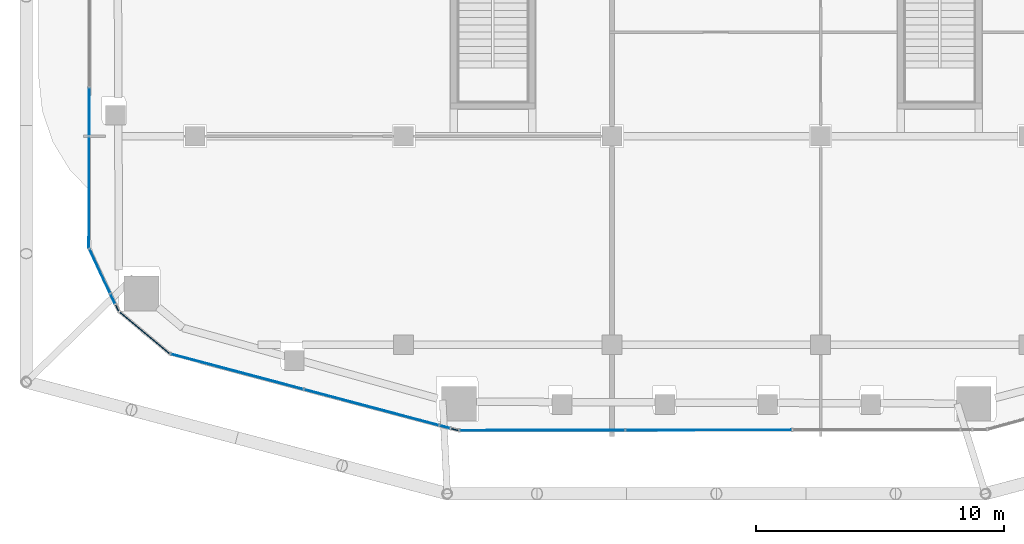
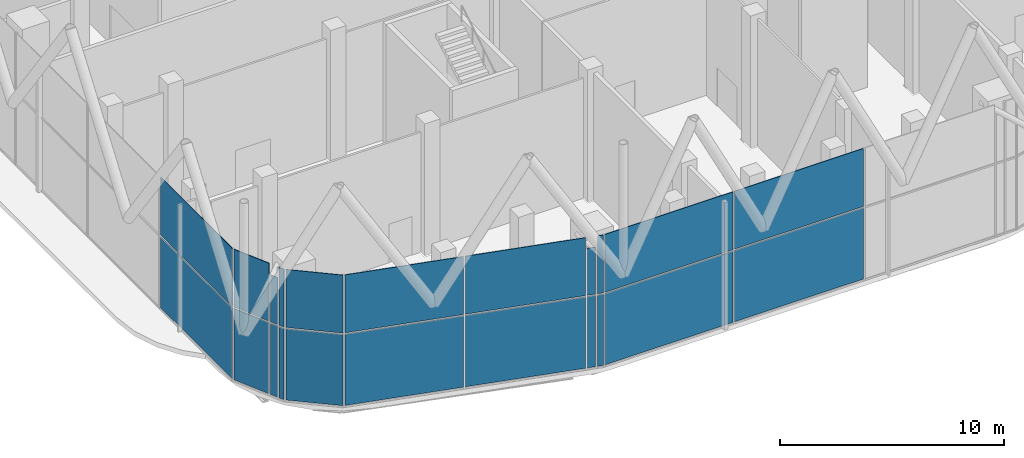
# One storey, part 13 of 25: 22 plates, 9 elements without a shape of their own.
"""IFC4 building model written with IfcOpenShell, lengths in metres."""

from ifc_helpers import new_model, si_unit, direction, frame, origin, origin_2d, place, context, subcontext, project, spatial, rectangle, extrude, material, layer, layer_set, type_object, element, aggregate, save


model = new_model("IFC4")

# Units and contexts
model_context = context("Model", 3, precision=1e-05, world=origin(), true_north=direction((0.0, 1.0)))
body_context = subcontext(model_context, "Body", "Model", "MODEL_VIEW")
ifc_project = project(units=[si_unit("LENGTHUNIT", "METRE"), si_unit("AREAUNIT", "SQUARE_METRE"), si_unit("VOLUMEUNIT", "CUBIC_METRE"), si_unit("PLANEANGLEUNIT", "RADIAN"), si_unit("MASSUNIT", "GRAM", prefix="KILO")], contexts=[model_context])

# Site, building, storey
site_placement = place(None, origin())
site = spatial("IfcSite", under=ifc_project, at=site_placement, CompositionType="ELEMENT")
building_placement = place(site_placement, origin())
building = spatial("IfcBuilding", under=site, at=building_placement, Name="Marenta Gate Hotel Tower", CompositionType="ELEMENT")
storey_placement = place(building_placement, frame((0.0, 0.0, 180.5)))
storey = spatial("IfcBuildingStorey", under=building, at=storey_placement, Name="L41", CompositionType="ELEMENT", Elevation=180.5)

# Curtain wall, plates
ifc_material_1 = material(Name="Tinted insulated glass in bronze anodised frame", Category="glass")
ifc_layer_1 = layer(ifc_material_1, 0.1298828125)
ifc_layer_set_1 = layer_set([ifc_layer_1], Name="Tinted insulated glass in bronze anodised frame")
curtain_wall_type = type_object("IfcCurtainWallType", Name="Sky lobby glazing CW2", PredefinedType="NOTDEFINED", material=ifc_layer_set_1)
curtain_wall_1_placement = place(storey_placement, origin())
curtain_wall_1 = element("IfcCurtainWall", 1, at=curtain_wall_1_placement, inside=storey, type_object=curtain_wall_type, Name="CW2 run G04", PredefinedType="NOTDEFINED")
ifc_material_2 = material(Name="Tinted insulated glass", Category="glass")
ifc_layer_2 = layer(ifc_material_2, 0.033935546875)
ifc_layer_set_2 = layer_set([ifc_layer_2], Name="Tinted insulated glass")
plate_type = type_object("IfcPlateType", Name="Glass panel CW2 34 mm tinted insulated unit", PredefinedType="CURTAIN_PANEL", material=ifc_layer_set_2)
plate_1_placement = place(storey_placement, frame((-25.27294921875, -18.084716796875, 0.080078125), z_axis=(0.0, 0.0, 1.0), x_axis=(-0.001565960706, -0.999998773883, 0.0)))
plate_1 = element("IfcPlate", 2, at=plate_1_placement, type_object=plate_type, Name="CW2 panel 6.1", PredefinedType="CURTAIN_PANEL", context=body_context, shape_type="SweptSolid", body=[
    extrude(rectangle(XDim=6.42041015625, YDim=0.033935546875, at=origin_2d()), origin(), (0.0, 0.0, 1.0), 3.8798828125),
])
plate_2_placement = place(storey_placement, frame((-25.27294921875, -18.084716796875, 4.0400390625), z_axis=(0.0, 0.0, 1.0), x_axis=(-0.001565960706, -0.999998773883, 0.0)))
plate_2 = element("IfcPlate", 3, at=plate_2_placement, type_object=plate_type, Name="CW2 panel 6.2", PredefinedType="CURTAIN_PANEL", context=body_context, shape_type="SweptSolid", body=[
    extrude(rectangle(XDim=6.42041015625, YDim=0.033935546875, at=origin_2d()), origin(), (0.0, 0.0, 1.0), 3.159912109375),
])
aggregate(curtain_wall_1, [plate_1, plate_2])

curtain_wall_2_placement = place(storey_placement, origin())
curtain_wall_2 = element("IfcCurtainWall", 4, at=curtain_wall_2_placement, inside=storey, type_object=curtain_wall_type, Name="CW2 run G05", PredefinedType="NOTDEFINED")
plate_3_placement = place(storey_placement, frame((-24.839599609375, -22.23291015625, 0.080078125), z_axis=(0.0, 0.0, 1.0), x_axis=(0.423325424961, -0.905977695411, 0.0)))
plate_3 = element("IfcPlate", 5, at=plate_3_placement, type_object=plate_type, Name="CW2 panel 1.1", PredefinedType="CURTAIN_PANEL", context=body_context, shape_type="SweptSolid", body=[
    extrude(rectangle(XDim=1.91064453125, YDim=0.033935546875, at=origin_2d()), origin(), (0.0, 0.0, 1.0), 3.8798828125),
])
plate_4_placement = place(storey_placement, frame((-24.839599609375, -22.23291015625, 4.0400390625), z_axis=(0.0, 0.0, 1.0), x_axis=(0.423325424961, -0.905977695411, 0.0)))
plate_4 = element("IfcPlate", 6, at=plate_4_placement, type_object=plate_type, Name="CW2 panel 1.2", PredefinedType="CURTAIN_PANEL", context=body_context, shape_type="SweptSolid", body=[
    extrude(rectangle(XDim=1.91064453125, YDim=0.033935546875, at=origin_2d()), origin(), (0.0, 0.0, 1.0), 3.159912109375),
])
aggregate(curtain_wall_2, [plate_3, plate_4])

curtain_wall_3_placement = place(storey_placement, origin())
curtain_wall_3 = element("IfcCurtainWall", 7, at=curtain_wall_3_placement, inside=storey, type_object=curtain_wall_type, Name="CW2 run G06", PredefinedType="NOTDEFINED")
plate_5_placement = place(storey_placement, frame((-24.31689453125, -23.35205078125, 0.080078125), z_axis=(0.0, 0.0, 1.0), x_axis=(0.423387289241, -0.905948786251, 0.0)))
plate_5 = element("IfcPlate", 8, at=plate_5_placement, type_object=plate_type, Name="CW2 panel 1.1", PredefinedType="CURTAIN_PANEL", context=body_context, shape_type="SweptSolid", body=[
    extrude(rectangle(XDim=0.39990234375, YDim=0.033935546875, at=origin_2d()), origin(), (0.0, 0.0, 1.0), 3.8798828125),
])
plate_6_placement = place(storey_placement, frame((-24.31689453125, -23.35205078125, 4.0400390625), z_axis=(0.0, 0.0, 1.0), x_axis=(0.423387289241, -0.905948786251, 0.0)))
plate_6 = element("IfcPlate", 9, at=plate_6_placement, type_object=plate_type, Name="CW2 panel 1.2", PredefinedType="CURTAIN_PANEL", context=body_context, shape_type="SweptSolid", body=[
    extrude(rectangle(XDim=0.39990234375, YDim=0.033935546875, at=origin_2d()), origin(), (0.0, 0.0, 1.0), 2.560546875),
])
aggregate(curtain_wall_3, [plate_5, plate_6])

curtain_wall_4_placement = place(storey_placement, origin())
curtain_wall_4 = element("IfcCurtainWall", 10, at=curtain_wall_4_placement, inside=storey, type_object=curtain_wall_type, Name="CW2 run G07", PredefinedType="NOTDEFINED")
plate_7_placement = place(storey_placement, frame((-24.142578125, -23.724609375, 0.080078125), z_axis=(0.0, 0.0, 1.0), x_axis=(0.423492111058, -0.905899791297, 0.0)))
plate_7 = element("IfcPlate", 11, at=plate_7_placement, type_object=plate_type, Name="CW2 panel 1.1", PredefinedType="CURTAIN_PANEL", context=body_context, shape_type="SweptSolid", body=[
    extrude(rectangle(XDim=0.262939453125, YDim=0.033935546875, at=origin_2d()), origin(), (0.0, 0.0, 1.0), 3.8798828125),
])
plate_8_placement = place(storey_placement, frame((-24.142578125, -23.724609375, 4.0400390625), z_axis=(0.0, 0.0, 1.0), x_axis=(0.423492111058, -0.905899791297, 0.0)))
plate_8 = element("IfcPlate", 12, at=plate_8_placement, type_object=plate_type, Name="CW2 panel 1.2", PredefinedType="CURTAIN_PANEL", context=body_context, shape_type="SweptSolid", body=[
    extrude(rectangle(XDim=0.262939453125, YDim=0.033935546875, at=origin_2d()), origin(), (0.0, 0.0, 1.0), 3.159912109375),
])
aggregate(curtain_wall_4, [plate_7, plate_8])

curtain_wall_5_placement = place(storey_placement, origin())
curtain_wall_5 = element("IfcCurtainWall", 13, at=curtain_wall_5_placement, inside=storey, type_object=curtain_wall_type, Name="CW2 run G08", PredefinedType="NOTDEFINED")
plate_9_placement = place(storey_placement, frame((-23.031494140625, -24.726318359375, 0.080078125), z_axis=(0.0, 0.0, 1.0), x_axis=(0.767090937628, -0.641538380308, 0.0)))
plate_9 = element("IfcPlate", 14, at=plate_9_placement, type_object=plate_type, Name="CW2 panel 1.1", PredefinedType="CURTAIN_PANEL", context=body_context, shape_type="SweptSolid", body=[
    extrude(rectangle(XDim=2.59130859375, YDim=0.033935546875, at=origin_2d()), origin(), (0.0, 0.0, 1.0), 3.8798828125),
])
plate_10_placement = place(storey_placement, frame((-23.031494140625, -24.726318359375, 4.0400390625), z_axis=(0.0, 0.0, 1.0), x_axis=(0.767090937628, -0.641538380308, 0.0)))
plate_10 = element("IfcPlate", 15, at=plate_10_placement, type_object=plate_type, Name="CW2 panel 1.2", PredefinedType="CURTAIN_PANEL", context=body_context, shape_type="SweptSolid", body=[
    extrude(rectangle(XDim=2.59130859375, YDim=0.033935546875, at=origin_2d()), origin(), (0.0, 0.0, 1.0), 3.159912109375),
])
aggregate(curtain_wall_5, [plate_9, plate_10])

curtain_wall_6_placement = place(storey_placement, origin())
curtain_wall_6 = element("IfcCurtainWall", 16, at=curtain_wall_6_placement, inside=storey, type_object=curtain_wall_type, Name="CW2 run G09", PredefinedType="NOTDEFINED")
plate_11_placement = place(storey_placement, frame((-19.309814453125, -26.283447265625, 0.080078125), z_axis=(0.0, 0.0, 1.0), x_axis=(0.966374552546, -0.257138531131, 0.0)))
plate_11 = element("IfcPlate", 17, at=plate_11_placement, type_object=plate_type, Name="CW2 panel 1.1", PredefinedType="CURTAIN_PANEL", context=body_context, shape_type="SweptSolid", body=[
    extrude(rectangle(XDim=5.485595703125, YDim=0.033935546875, at=origin_2d()), origin(), (0.0, 0.0, 1.0), 3.8798828125),
])
plate_12_placement = place(storey_placement, frame((-19.309814453125, -26.283447265625, 4.0400390625), z_axis=(0.0, 0.0, 1.0), x_axis=(0.966374552546, -0.257138531131, 0.0)))
plate_12 = element("IfcPlate", 18, at=plate_12_placement, type_object=plate_type, Name="CW2 panel 1.2", PredefinedType="CURTAIN_PANEL", context=body_context, shape_type="SweptSolid", body=[
    extrude(rectangle(XDim=5.485595703125, YDim=0.033935546875, at=origin_2d()), origin(), (0.0, 0.0, 1.0), 3.159912109375),
])
plate_13_placement = place(storey_placement, frame((-13.892822265625, -27.724853515625, 0.080078125), z_axis=(0.0, 0.0, 1.0), x_axis=(0.966374552546, -0.257138531131, 0.0)))
plate_13 = element("IfcPlate", 19, at=plate_13_placement, type_object=plate_type, Name="CW2 panel 2.1", PredefinedType="CURTAIN_PANEL", context=body_context, shape_type="SweptSolid", body=[
    extrude(rectangle(XDim=5.5654296875, YDim=0.033935546875, at=origin_2d()), origin(), (0.0, 0.0, 1.0), 3.8798828125),
])
plate_14_placement = place(storey_placement, frame((-13.892822265625, -27.724853515625, 4.0400390625), z_axis=(0.0, 0.0, 1.0), x_axis=(0.966374552546, -0.257138531131, 0.0)))
plate_14 = element("IfcPlate", 20, at=plate_14_placement, type_object=plate_type, Name="CW2 panel 2.2", PredefinedType="CURTAIN_PANEL", context=body_context, shape_type="SweptSolid", body=[
    extrude(rectangle(XDim=5.5654296875, YDim=0.033935546875, at=origin_2d()), origin(), (0.0, 0.0, 1.0), 3.159912109375),
])
aggregate(curtain_wall_6, [plate_11, plate_12, plate_13, plate_14])

curtain_wall_7_placement = place(storey_placement, origin())
curtain_wall_7 = element("IfcCurtainWall", 21, at=curtain_wall_7_placement, inside=storey, type_object=curtain_wall_type, Name="CW2 run G10", PredefinedType="NOTDEFINED")
plate_15_placement = place(storey_placement, frame((-10.93505859375, -28.51171875, 0.080078125), z_axis=(0.0, 0.0, 1.0), x_axis=(0.966370908953, -0.257152224039, 0.0)))
plate_15 = element("IfcPlate", 22, at=plate_15_placement, type_object=plate_type, Name="CW2 panel 1.1", PredefinedType="CURTAIN_PANEL", context=body_context, shape_type="SweptSolid", body=[
    extrude(rectangle(XDim=0.3955078125, YDim=0.033935546875, at=origin_2d()), origin(), (0.0, 0.0, 1.0), 3.8798828125),
])
plate_16_placement = place(storey_placement, frame((-10.93505859375, -28.51171875, 4.0400390625), z_axis=(0.0, 0.0, 1.0), x_axis=(0.966370908953, -0.257152224039, 0.0)))
plate_16 = element("IfcPlate", 23, at=plate_16_placement, type_object=plate_type, Name="CW2 panel 1.2", PredefinedType="CURTAIN_PANEL", context=body_context, shape_type="SweptSolid", body=[
    extrude(rectangle(XDim=0.3955078125, YDim=0.033935546875, at=origin_2d()), origin(), (0.0, 0.0, 1.0), 2.560546875),
])
aggregate(curtain_wall_7, [plate_15, plate_16])

curtain_wall_8_placement = place(storey_placement, origin())
curtain_wall_8 = element("IfcCurtainWall", 24, at=curtain_wall_8_placement, inside=storey, type_object=curtain_wall_type, Name="CW2 run G11", PredefinedType="NOTDEFINED")
plate_17_placement = place(storey_placement, frame((-10.53662109375, -28.617919921875, 0.080078125), z_axis=(0.0, 0.0, 1.0), x_axis=(0.966358425871, -0.257199130535, 0.0)))
plate_17 = element("IfcPlate", 25, at=plate_17_placement, type_object=plate_type, Name="CW2 panel 1.1", PredefinedType="CURTAIN_PANEL", context=body_context, shape_type="SweptSolid", body=[
    extrude(rectangle(XDim=0.26904296875, YDim=0.033935546875, at=origin_2d()), origin(), (0.0, 0.0, 1.0), 3.8798828125),
])
plate_18_placement = place(storey_placement, frame((-10.53662109375, -28.617919921875, 4.0400390625), z_axis=(0.0, 0.0, 1.0), x_axis=(0.966358425871, -0.257199130535, 0.0)))
plate_18 = element("IfcPlate", 26, at=plate_18_placement, type_object=plate_type, Name="CW2 panel 1.2", PredefinedType="CURTAIN_PANEL", context=body_context, shape_type="SweptSolid", body=[
    extrude(rectangle(XDim=0.26904296875, YDim=0.033935546875, at=origin_2d()), origin(), (0.0, 0.0, 1.0), 3.159912109375),
])
aggregate(curtain_wall_8, [plate_17, plate_18])

curtain_wall_9_placement = place(storey_placement, origin())
curtain_wall_9 = element("IfcCurtainWall", 27, at=curtain_wall_9_placement, inside=storey, type_object=curtain_wall_type, Name="CW2 run G12", PredefinedType="NOTDEFINED")
plate_19_placement = place(storey_placement, frame((-7.01953125, -28.64697265625, 0.080078125), z_axis=(0.0, 0.0, 1.0), x_axis=(0.999998649752, 0.001643318084, 0.0)))
plate_19 = element("IfcPlate", 28, at=plate_19_placement, type_object=plate_type, Name="CW2 panel 1.1", PredefinedType="CURTAIN_PANEL", context=body_context, shape_type="SweptSolid", body=[
    extrude(rectangle(XDim=6.6142578125, YDim=0.033935546875, at=origin_2d()), origin(), (0.0, 0.0, 1.0), 3.8798828125),
])
plate_20_placement = place(storey_placement, frame((-7.01953125, -28.64697265625, 4.0400390625), z_axis=(0.0, 0.0, 1.0), x_axis=(0.999998649752, 0.001643318084, 0.0)))
plate_20 = element("IfcPlate", 29, at=plate_20_placement, type_object=plate_type, Name="CW2 panel 1.2", PredefinedType="CURTAIN_PANEL", context=body_context, shape_type="SweptSolid", body=[
    extrude(rectangle(XDim=6.6142578125, YDim=0.033935546875, at=origin_2d()), origin(), (0.0, 0.0, 1.0), 3.159912109375),
])
plate_21_placement = place(storey_placement, frame((-0.30517578125, -28.635986328125, 0.080078125), z_axis=(0.0, 0.0, 1.0), x_axis=(0.999998649752, 0.001643318084, 0.0)))
plate_21 = element("IfcPlate", 30, at=plate_21_placement, type_object=plate_type, Name="CW2 panel 2.1", PredefinedType="CURTAIN_PANEL", context=body_context, shape_type="SweptSolid", body=[
    extrude(rectangle(XDim=6.654296875, YDim=0.033935546875, at=origin_2d()), origin(), (0.0, 0.0, 1.0), 3.8798828125),
])
plate_22_placement = place(storey_placement, frame((-0.30517578125, -28.635986328125, 4.0400390625), z_axis=(0.0, 0.0, 1.0), x_axis=(0.999998649752, 0.001643318084, 0.0)))
plate_22 = element("IfcPlate", 31, at=plate_22_placement, type_object=plate_type, Name="CW2 panel 2.2", PredefinedType="CURTAIN_PANEL", context=body_context, shape_type="SweptSolid", body=[
    extrude(rectangle(XDim=6.654296875, YDim=0.033935546875, at=origin_2d()), origin(), (0.0, 0.0, 1.0), 3.159912109375),
])
aggregate(curtain_wall_9, [plate_19, plate_20, plate_21, plate_22])

save(model, "model.ifc")
